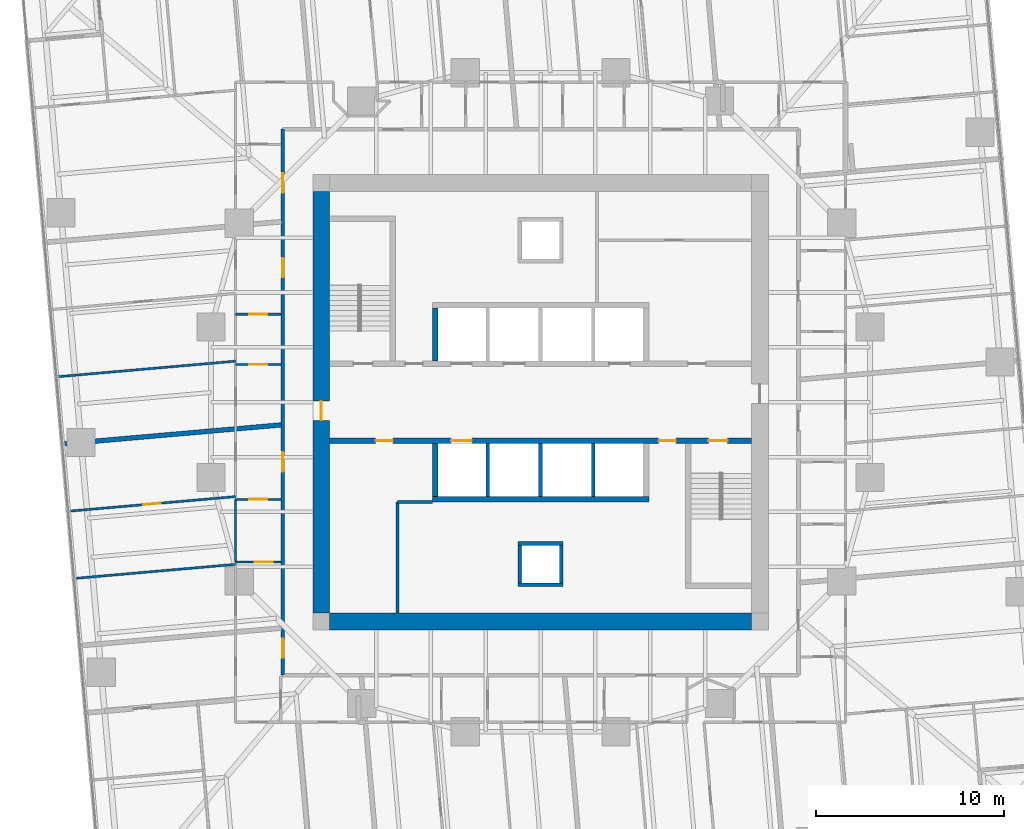
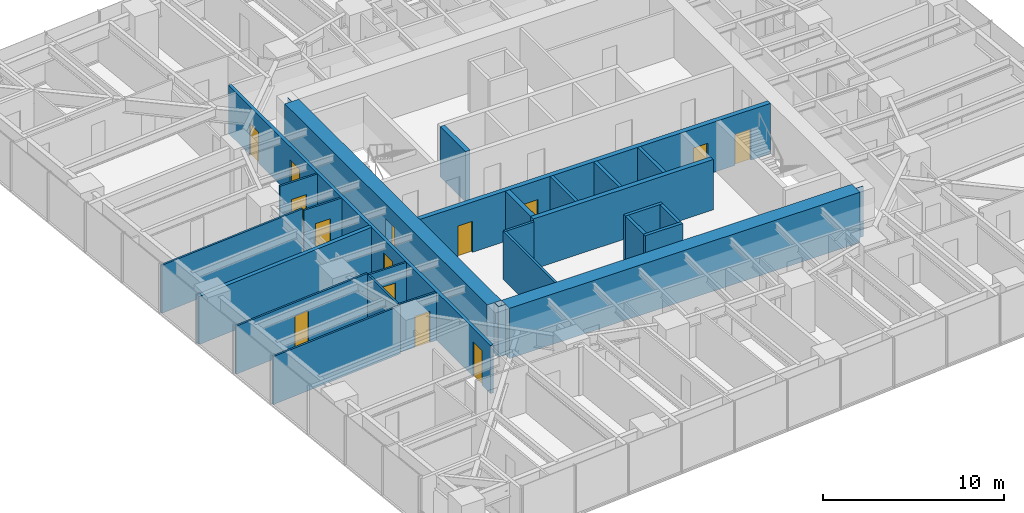
# One storey, part 9 of 14: 25 walls, 14 doors, 14 openings.
"""IFC4 building model written with IfcOpenShell, lengths in metres."""

from ifc_helpers import new_model, si_unit, direction, frame, frame_2d, origin, place, context, subcontext, project, spatial, polyline, rectangle, outline, extrude, material, layer, layer_set, type_object, element, fill, save


model = new_model("IFC4")

# Units and contexts
model_context = context("Model", 3, precision=1e-05, world=origin(), true_north=direction((0.0, 1.0)))
body_context = subcontext(model_context, "Body", "Model", "MODEL_VIEW")
ifc_project = project(units=[si_unit("LENGTHUNIT", "METRE"), si_unit("AREAUNIT", "SQUARE_METRE"), si_unit("VOLUMEUNIT", "CUBIC_METRE"), si_unit("PLANEANGLEUNIT", "RADIAN"), si_unit("MASSUNIT", "GRAM", prefix="KILO")], contexts=[model_context])

# Site, building, storey
site_placement = place(None, origin())
site = spatial("IfcSite", under=ifc_project, at=site_placement, CompositionType="ELEMENT")
building_placement = place(site_placement, origin())
building = spatial("IfcBuilding", under=site, at=building_placement, Name="Torsade Residences", CompositionType="ELEMENT")
storey_placement = place(building_placement, frame((0.0, 0.0, 64.199951171875)))
storey = spatial("IfcBuildingStorey", under=building, at=storey_placement, Name="L17", CompositionType="ELEMENT", Elevation=64.199951171875)

# Wall, openings, doors
ifc_material_1 = material(Name="Concrete 80 MPa", Category="concrete")
ifc_layer_1 = layer(ifc_material_1, 0.300048828125)
ifc_layer_set_1 = layer_set([ifc_layer_1], Name="Concrete 80 MPa")
wall_type_1 = type_object("IfcWallType", Name="CORE INTERNAL WALL 300", PredefinedType="SHEAR", material=ifc_layer_set_1)
wall_1_placement = place(storey_placement, frame((51.199951171875, 27.949951171875, 0.0), z_axis=(0.0, 0.0, 1.0), x_axis=(-1.0, 0.0, 0.0)))
wall_1 = element("IfcWall", 1, at=wall_1_placement, inside=storey, type_object=wall_type_1, Name="Core wall LS L17", PredefinedType="SHEAR", context=body_context, shape_type="SweptSolid", body=[
    extrude(rectangle(XDim=22.39990234375, YDim=0.300048828125, at=frame_2d((11.199951171875, 0.0))), origin(), (0.0, 0.0, 1.0), 3.400146484375),
])
opening_1_placement = place(wall_1_placement, frame((19.0400390625, 0.0, 0.0)))
opening_1 = element("IfcOpeningElement", 2, at=opening_1_placement, cuts=wall_1, Name="Opening D06", PredefinedType="OPENING", context=body_context, shape_type="SweptSolid", body=[
    extrude(rectangle(XDim=0.919921875, YDim=2.10009765625, at=frame_2d((0.4599609375, 1.050048828125))), frame((0.0, 0.159912109375, 0.0), z_axis=(0.0, -1.0, 0.0), x_axis=(1.0, 0.0, 0.0)), (0.0, 0.0, 1.0), 0.320068359375),
])
opening_2_placement = place(wall_1_placement, frame((1.264892578125, 0.0, 0.0)))
opening_2 = element("IfcOpeningElement", 3, at=opening_2_placement, cuts=wall_1, Name="Opening D03", PredefinedType="OPENING", context=body_context, shape_type="SweptSolid", body=[
    extrude(rectangle(XDim=1.02001953125, YDim=2.10009765625, at=frame_2d((0.510009765625, 1.050048828125))), frame((0.0, 0.159912109375, 0.0), z_axis=(0.0, -1.0, 0.0), x_axis=(1.0, 0.0, 0.0)), (0.0, 0.0, 1.0), 0.320068359375),
])
opening_3_placement = place(wall_1_placement, frame((4.014892578125, 0.0, 0.0)))
opening_3 = element("IfcOpeningElement", 4, at=opening_3_placement, cuts=wall_1, Name="Opening D06", PredefinedType="OPENING", context=body_context, shape_type="SweptSolid", body=[
    extrude(rectangle(XDim=0.919921875, YDim=2.10009765625, at=frame_2d((0.4599609375, 1.050048828125))), frame((0.0, 0.159912109375, 0.0), z_axis=(0.0, -1.0, 0.0), x_axis=(1.0, 0.0, 0.0)), (0.0, 0.0, 1.0), 0.320068359375),
])
opening_4_placement = place(wall_1_placement, frame((14.85009765625, 0.0, 0.0)))
opening_4 = element("IfcOpeningElement", 5, at=opening_4_placement, cuts=wall_1, Name="Opening LD", PredefinedType="OPENING", context=body_context, shape_type="SweptSolid", body=[
    extrude(rectangle(XDim=1.10009765625, YDim=2.10009765625, at=frame_2d((0.550048828125, 1.050048828125))), frame((0.0, 0.159912109375, 0.0), z_axis=(0.0, -1.0, 0.0), x_axis=(1.0, 0.0, 0.0)), (0.0, 0.0, 1.0), 0.320068359375),
])
ifc_material_2 = material(Name="Steel-framed fire door", Category="steel")
door_type_1 = type_object("IfcDoorType", Name="FIRE DOOR 1020", OperationType="NOTDEFINED", PredefinedType="DOOR", material=ifc_material_2)
door_1_placement = place(opening_2_placement, origin())
door_1 = element("IfcDoor", 6, at=door_1_placement, inside=storey, type_object=door_type_1, Name="Exit door to fire-isolated stair ST2 L17", OperationType="SINGLE_SWING_RIGHT", OverallHeight=2.10009765625, OverallWidth=1.02001953125, PredefinedType="DOOR", context=body_context, shape_type="SweptSolid", body=[
    extrude(rectangle(XDim=1.02001953125, YDim=2.10009765625, at=frame_2d((0.510009765625, 1.050048828125))), frame((0.0, 0.02490234375, 0.0), z_axis=(0.0, -1.0, 0.0), x_axis=(1.0, 0.0, 0.0)), (0.0, 0.0, 1.0), 0.050048828125),
])
fill(opening_2, door_1)
ifc_material_3 = material(Name="Steel-framed fire door", Category="steel")
door_type_2 = type_object("IfcDoorType", Name="FIRE DOOR 920", OperationType="NOTDEFINED", PredefinedType="DOOR", material=ifc_material_3)
door_2_placement = place(opening_1_placement, origin())
door_2 = element("IfcDoor", 7, at=door_2_placement, inside=storey, type_object=door_type_2, Name="Door Lift lobby to Cleaner store", OperationType="SINGLE_SWING_LEFT", OverallHeight=2.10009765625, OverallWidth=0.919921875, PredefinedType="DOOR", context=body_context, shape_type="SweptSolid", body=[
    extrude(rectangle(XDim=0.919921875, YDim=2.10009765625, at=frame_2d((0.4599609375, 1.050048828125))), frame((0.0, 0.02490234375, 0.0), z_axis=(0.0, -1.0, 0.0), x_axis=(1.0, 0.0, 0.0)), (0.0, 0.0, 1.0), 0.050048828125),
])
fill(opening_1, door_2)
door_3_placement = place(opening_3_placement, origin())
door_3 = element("IfcDoor", 8, at=door_3_placement, inside=storey, type_object=door_type_2, Name="Door Lift lobby to Communications riser room", OperationType="SINGLE_SWING_RIGHT", OverallHeight=2.10009765625, OverallWidth=0.919921875, PredefinedType="DOOR", context=body_context, shape_type="SweptSolid", body=[
    extrude(rectangle(XDim=0.919921875, YDim=2.10009765625, at=frame_2d((0.4599609375, 1.050048828125))), frame((0.0, 0.02490234375, 0.0), z_axis=(0.0, -1.0, 0.0), x_axis=(1.0, 0.0, 0.0)), (0.0, 0.0, 1.0), 0.050048828125),
])
fill(opening_3, door_3)
ifc_material_4 = material(Name="Stainless steel lift landing door", Category="steel")
door_type_3 = type_object("IfcDoorType", Name="LIFT LANDING DOOR 1100", OperationType="SLIDING_TO_LEFT", PredefinedType="DOOR", material=ifc_material_4)
door_4_placement = place(opening_4_placement, origin())
door_4 = element("IfcDoor", 9, at=door_4_placement, inside=storey, type_object=door_type_3, Name="Lift FL2 landing door L17", OperationType="SLIDING_TO_LEFT", OverallHeight=2.10009765625, OverallWidth=1.10009765625, PredefinedType="DOOR", context=body_context, shape_type="SweptSolid", body=[
    extrude(rectangle(XDim=1.10009765625, YDim=2.10009765625, at=frame_2d((0.550048828125, 1.050048828125))), frame((0.0, 0.02490234375, 0.0), z_axis=(0.0, -1.0, 0.0), x_axis=(1.0, 0.0, 0.0)), (0.0, 0.0, 1.0), 0.050048828125),
])
fill(opening_4, door_4)

# Walls
wall_2_placement = place(storey_placement, frame((45.75, 24.85009765625, 0.0), z_axis=(0.0, 0.0, 1.0), x_axis=(-1.0, 0.0, 0.0)))
element("IfcWall", 10, at=wall_2_placement, inside=storey, type_object=wall_type_1, Name="Core wall BS L17", PredefinedType="SHEAR", context=body_context, shape_type="SweptSolid", body=[
    extrude(rectangle(XDim=11.5, YDim=0.300048828125, at=frame_2d((5.75, 0.0))), origin(), (0.0, 0.0, 1.0), 3.400146484375),
])
for number, where, z_axis, x_axis, name in (
    (11, (34.39990234375, 32.199951171875, 0.0), (0.0, 0.0, 1.0), (0.0, 1.0, 0.0), "Core wall DN0 L17"),
    (12, (34.39990234375, 27.800048828125, 0.0), (0.0, 0.0, 1.0), (0.0, -1.0, 0.0), "Core wall DS4 L17"),
):
    element("IfcWall", number, at=place(storey_placement, frame(where, z_axis=z_axis, x_axis=x_axis)), inside=storey, type_object=wall_type_1, Name=name, PredefinedType="SHEAR", context=body_context, shape_type="SweptSolid", body=[
        extrude(rectangle(XDim=2.800048828125, YDim=0.300048828125, at=frame_2d((1.39990234375, 0.0))), origin(), (0.0, 0.0, 1.0), 3.400146484375),
    ])
ifc_material_5 = material(Name="Concrete 80 MPa", Category="concrete")
ifc_layer_2 = layer(ifc_material_5, 0.89990234375)
ifc_layer_set_2 = layer_set([ifc_layer_2], Name="Concrete 80 MPa")
wall_type_2 = type_object("IfcWallType", Name="CORE WALL 900", PredefinedType="SHEAR", material=ifc_layer_set_2)
wall_3_placement = place(storey_placement, frame((51.199951171875, 18.35009765625, 0.0), z_axis=(0.0, 0.0, 1.0), x_axis=(-1.0, 0.0, 0.0)))
element("IfcWall", 13, at=wall_3_placement, inside=storey, type_object=wall_type_2, Name="Core wall S L17", PredefinedType="SHEAR", context=body_context, shape_type="SweptSolid", body=[
    extrude(outline(polyline([(0.0, -0.449951171875), (22.39990234375, -0.449951171875), (22.39990234375, -0.02490234375), (22.849853515625, -0.02490234375), (22.849853515625, 0.02490234375), (22.39990234375, 0.02490234375), (22.39990234375, 0.449951171875), (0.0, 0.449951171875), (0.0, 0.02490234375), (-0.449951171875, 0.02490234375), (-0.449951171875, -0.02490234375), (0.0, -0.02490234375), (0.0, -0.449951171875)])), origin(), (0.0, 0.0, 1.0), 3.400146484375),
])

# Wall, opening, door
wall_4_placement = place(storey_placement, frame((28.35009765625, 41.199951171875, 0.0), z_axis=(0.0, 0.0, 1.0), x_axis=(0.0, -1.0, 0.0)))
wall_4 = element("IfcWall", 14, at=wall_4_placement, inside=storey, type_object=wall_type_2, Name="Core wall W L17", PredefinedType="SHEAR", context=body_context, shape_type="SweptSolid", body=[
    extrude(outline(polyline([(0.0, -0.449951171875), (22.39990234375, -0.449951171875), (22.39990234375, -0.02490234375), (22.849853515625, -0.02490234375), (22.849853515625, 0.02490234375), (22.39990234375, 0.02490234375), (22.39990234375, 0.449951171875), (0.0, 0.449951171875), (0.0, 0.02490234375), (-0.449951171875, 0.02490234375), (-0.449951171875, -0.02490234375), (0.0, -0.02490234375), (0.0, -0.449951171875)])), origin(), (0.0, 0.0, 1.0), 3.400146484375),
])
opening_5_placement = place(wall_4_placement, frame((11.139892578125, 0.0, 0.0)))
opening_5 = element("IfcOpeningElement", 15, at=opening_5_placement, cuts=wall_4, Name="Opening D04", PredefinedType="OPENING", context=body_context, shape_type="SweptSolid", body=[
    extrude(rectangle(XDim=1.02001953125, YDim=2.39990234375, at=frame_2d((0.510009765625, 1.199951171875))), frame((0.0, 0.4599609375, 0.0), z_axis=(0.0, -1.0, 0.0), x_axis=(1.0, 0.0, 0.0)), (0.0, 0.0, 1.0), 0.919921875),
])
ifc_material_6 = material(Name="Steel-framed fire door", Category="steel")
door_type_4 = type_object("IfcDoorType", Name="LOBBY SMOKE DOOR 1020x2400", OperationType="NOTDEFINED", PredefinedType="DOOR", material=ifc_material_6)
door_5_placement = place(opening_5_placement, origin())
door_5 = element("IfcDoor", 16, at=door_5_placement, inside=storey, type_object=door_type_4, Name="Lift lobby door W L17", OperationType="SINGLE_SWING_RIGHT", OverallHeight=2.39990234375, OverallWidth=1.02001953125, PredefinedType="DOOR", context=body_context, shape_type="SweptSolid", body=[
    extrude(rectangle(XDim=1.02001953125, YDim=2.39990234375, at=frame_2d((0.510009765625, 1.199951171875))), frame((0.0, 0.02490234375, 0.0), z_axis=(0.0, -1.0, 0.0), x_axis=(1.0, 0.0, 0.0)), (0.0, 0.0, 1.0), 0.050048828125),
])
fill(opening_5, door_5)

# Wall, openings, doors
ifc_material_7 = material(Name="Plasterboard on steel stud", Category="steel")
ifc_layer_3 = layer(ifc_material_7, 0.199951171875)
ifc_layer_set_3 = layer_set([ifc_layer_3], Name="Plasterboard on steel stud")
wall_type_3 = type_object("IfcWallType", Name="CORRIDOR WALL 200", PredefinedType="PARTITIONING", material=ifc_layer_set_3)
wall_5_placement = place(storey_placement, frame((26.300048828125, 44.5, 0.0), z_axis=(0.0, 0.0, 1.0), x_axis=(0.0, -1.0, 0.0)))
wall_5 = element("IfcWall", 17, at=wall_5_placement, inside=storey, type_object=wall_type_3, Name="Corridor wall L17", PredefinedType="PARTITIONING", context=body_context, shape_type="SweptSolid", body=[
    extrude(rectangle(XDim=29.0, YDim=0.199951171875, at=frame_2d((14.5, 0.0))), origin(), (0.0, 0.0, 1.0), 3.25),
])
opening_6_placement = place(wall_5_placement, frame((6.849609375, 0.0, 0.0)))
opening_6 = element("IfcOpeningElement", 18, at=opening_6_placement, cuts=wall_5, Name="Opening D01", PredefinedType="OPENING", context=body_context, shape_type="SweptSolid", body=[
    extrude(rectangle(XDim=1.02001953125, YDim=2.340087890625, at=frame_2d((0.510009765625, 1.169921875))), frame((0.0, 0.10986328125, 0.0), z_axis=(0.0, -1.0, 0.0), x_axis=(1.0, 0.0, 0.0)), (0.0, 0.0, 1.0), 0.219970703125),
])
opening_7_placement = place(wall_5_placement, frame((2.344970703125, 0.0, 0.0)))
opening_7 = element("IfcOpeningElement", 19, at=opening_7_placement, cuts=wall_5, Name="Opening D01L", PredefinedType="OPENING", context=body_context, shape_type="SweptSolid", body=[
    extrude(rectangle(XDim=1.02001953125, YDim=2.10009765625, at=frame_2d((0.510009765625, 1.050048828125))), frame((0.0, 0.10986328125, 0.0), z_axis=(0.0, -1.0, 0.0), x_axis=(1.0, 0.0, 0.0)), (0.0, 0.0, 1.0), 0.219970703125),
])
opening_8_placement = place(wall_5_placement, frame((17.165771484375, 0.0, 0.0)))
opening_8 = element("IfcOpeningElement", 20, at=opening_8_placement, cuts=wall_5, Name="Opening D01", PredefinedType="OPENING", context=body_context, shape_type="SweptSolid", body=[
    extrude(rectangle(XDim=1.02001953125, YDim=2.340087890625, at=frame_2d((0.510009765625, 1.169921875))), frame((0.0, 0.10986328125, 0.0), z_axis=(0.0, -1.0, 0.0), x_axis=(1.0, 0.0, 0.0)), (0.0, 0.0, 1.0), 0.219970703125),
])
opening_9_placement = place(wall_5_placement, frame((27.054931640625, 0.0, 0.0)))
opening_9 = element("IfcOpeningElement", 21, at=opening_9_placement, cuts=wall_5, Name="Opening D01", PredefinedType="OPENING", context=body_context, shape_type="SweptSolid", body=[
    extrude(rectangle(XDim=1.02001953125, YDim=2.340087890625, at=frame_2d((0.510009765625, 1.169921875))), frame((0.0, 0.10986328125, 0.0), z_axis=(0.0, -1.0, 0.0), x_axis=(1.0, 0.0, 0.0)), (0.0, 0.0, 1.0), 0.219970703125),
])
ifc_material_8 = material(Name="Solid-core timber fire door", Category="wood")
door_type_5 = type_object("IfcDoorType", Name="APARTMENT ENTRY DOOR 1020x2100", OperationType="NOTDEFINED", PredefinedType="DOOR", material=ifc_material_8)
door_6_placement = place(opening_7_placement, origin())
door_6 = element("IfcDoor", 22, at=door_6_placement, inside=storey, type_object=door_type_5, Name="Door Residential corridor to Kitchen and dining", OperationType="SINGLE_SWING_LEFT", OverallHeight=2.10009765625, OverallWidth=1.02001953125, PredefinedType="DOOR", context=body_context, shape_type="SweptSolid", body=[
    extrude(rectangle(XDim=1.02001953125, YDim=2.10009765625, at=frame_2d((0.510009765625, 1.050048828125))), frame((0.0, 0.02490234375, 0.0), z_axis=(0.0, -1.0, 0.0), x_axis=(1.0, 0.0, 0.0)), (0.0, 0.0, 1.0), 0.050048828125),
])
fill(opening_7, door_6)
ifc_material_9 = material(Name="Solid-core timber fire door", Category="wood")
door_type_6 = type_object("IfcDoorType", Name="APARTMENT ENTRY DOOR 1020x2340", OperationType="NOTDEFINED", PredefinedType="DOOR", material=ifc_material_9)
door_7_placement = place(opening_6_placement, origin())
door_7 = element("IfcDoor", 23, at=door_7_placement, inside=storey, type_object=door_type_6, Name="Door Residential corridor to Kitchen and dining", OperationType="SINGLE_SWING_LEFT", OverallHeight=2.340087890625, OverallWidth=1.02001953125, PredefinedType="DOOR", context=body_context, shape_type="SweptSolid", body=[
    extrude(rectangle(XDim=1.02001953125, YDim=2.340087890625, at=frame_2d((0.510009765625, 1.169921875))), frame((0.0, 0.02490234375, 0.0), z_axis=(0.0, -1.0, 0.0), x_axis=(1.0, 0.0, 0.0)), (0.0, 0.0, 1.0), 0.050048828125),
])
fill(opening_6, door_7)
door_8_placement = place(opening_8_placement, origin())
door_8 = element("IfcDoor", 24, at=door_8_placement, inside=storey, type_object=door_type_6, Name="Door Residential corridor to Kitchen and dining", OperationType="SINGLE_SWING_LEFT", OverallHeight=2.340087890625, OverallWidth=1.02001953125, PredefinedType="DOOR", context=body_context, shape_type="SweptSolid", body=[
    extrude(rectangle(XDim=1.02001953125, YDim=2.340087890625, at=frame_2d((0.510009765625, 1.169921875))), frame((0.0, 0.02490234375, 0.0), z_axis=(0.0, -1.0, 0.0), x_axis=(1.0, 0.0, 0.0)), (0.0, 0.0, 1.0), 0.050048828125),
])
fill(opening_8, door_8)
door_9_placement = place(opening_9_placement, origin())
door_9 = element("IfcDoor", 25, at=door_9_placement, inside=storey, type_object=door_type_6, Name="Door Residential corridor to Kitchen and dining", OperationType="SINGLE_SWING_RIGHT", OverallHeight=2.340087890625, OverallWidth=1.02001953125, PredefinedType="DOOR", context=body_context, shape_type="SweptSolid", body=[
    extrude(rectangle(XDim=1.02001953125, YDim=2.340087890625, at=frame_2d((0.510009765625, 1.169921875))), frame((0.0, 0.02490234375, 0.0), z_axis=(0.0, -1.0, 0.0), x_axis=(1.0, 0.0, 0.0)), (0.0, 0.0, 1.0), 0.050048828125),
])
fill(opening_9, door_9)

# Walls
ifc_material_10 = material(Name="Reinforced blockwork", Category="masonry")
ifc_layer_4 = layer(ifc_material_10, 0.199951171875)
ifc_layer_set_4 = layer_set([ifc_layer_4], Name="Reinforced blockwork")
wall_type_4 = type_object("IfcWallType", Name="LIFT SHAFT DIVIDING WALL 200", PredefinedType="SOLIDWALL", material=ifc_layer_set_4)
for number, where, z_axis, x_axis, name in (
    (26, (42.800048828125, 27.800048828125, 0.0), (0.0, 0.0, 1.0), (0.0, -1.0, 0.0), "Core wall DS1 L17"),
    (27, (40.0, 27.800048828125, 0.0), (0.0, 0.0, 1.0), (0.0, -1.0, 0.0), "Core wall DS2 L17"),
    (28, (37.199951171875, 27.800048828125, 0.0), (0.0, 0.0, 1.0), (0.0, -1.0, 0.0), "Core wall DS3 L17"),
):
    element("IfcWall", number, at=place(storey_placement, frame(where, z_axis=z_axis, x_axis=x_axis)), inside=storey, type_object=wall_type_4, Name=name, PredefinedType="SOLIDWALL", context=body_context, shape_type="SweptSolid", body=[
        extrude(rectangle(XDim=2.800048828125, YDim=0.199951171875, at=frame_2d((1.39990234375, 0.0))), origin(), (0.0, 0.0, 1.0), 3.400146484375),
    ])

# Wall, opening, door
ifc_material_11 = material(Name="Plasterboard on steel stud", Category="steel")
ifc_layer_5 = layer(ifc_material_11, 0.1201171875)
ifc_layer_set_5 = layer_set([ifc_layer_5], Name="Plasterboard on steel stud")
wall_type_5 = type_object("IfcWallType", Name="PARTITION 120", PredefinedType="PARTITIONING", material=ifc_layer_set_5)
wall_6_placement = place(storey_placement, frame((26.199951171875, 24.837646484375, 0.0), z_axis=(0.0, 0.0, 1.0), x_axis=(-1.0, 0.0, 0.0)))
wall_6 = element("IfcWall", 29, at=wall_6_placement, inside=storey, type_object=wall_type_5, Name="Partition L17", PredefinedType="PARTITIONING", context=body_context, shape_type="SweptSolid", body=[
    extrude(rectangle(XDim=2.39990234375, YDim=0.1201171875, at=frame_2d((1.199951171875, 0.0))), origin(), (0.0, 0.0, 1.0), 3.25),
])
opening_10_placement = place(wall_6_placement, frame((0.719970703125, 0.0, 0.0)))
opening_10 = element("IfcOpeningElement", 30, at=opening_10_placement, cuts=wall_6, Name="Opening D05", PredefinedType="OPENING", context=body_context, shape_type="SweptSolid", body=[
    extrude(rectangle(XDim=0.9599609375, YDim=2.10009765625, at=frame_2d((0.47998046875, 1.050048828125))), frame((0.0, 0.070068359375, 0.0), z_axis=(0.0, -1.0, 0.0), x_axis=(1.0, 0.0, 0.0)), (0.0, 0.0, 1.0), 0.14013671875),
])
ifc_material_12 = material(Name="Hollow-core timber door in a steel cavity frame", Category="steel")
door_type_7 = type_object("IfcDoorType", Name="BATHROOM CAVITY SLIDING DOOR 960", OperationType="SLIDING_TO_LEFT", PredefinedType="DOOR", material=ifc_material_12)
door_10_placement = place(opening_10_placement, origin())
door_10 = element("IfcDoor", 31, at=door_10_placement, inside=storey, type_object=door_type_7, Name="Door Kitchen and dining to Ensuite", OperationType="SLIDING_TO_LEFT", OverallHeight=2.10009765625, OverallWidth=0.9599609375, PredefinedType="DOOR", context=body_context, shape_type="SweptSolid", body=[
    extrude(rectangle(XDim=0.9599609375, YDim=2.10009765625, at=frame_2d((0.47998046875, 1.050048828125))), frame((0.0, 0.02490234375, 0.0), z_axis=(0.0, -1.0, 0.0), x_axis=(1.0, 0.0, 0.0)), (0.0, 0.0, 1.0), 0.050048828125),
])
fill(opening_10, door_10)

wall_7_placement = place(storey_placement, frame((23.800048828125, 21.513916015625, 0.0), z_axis=(0.0, 0.0, 1.0), x_axis=(1.0, 0.0, 0.0)))
wall_7 = element("IfcWall", 32, at=wall_7_placement, inside=storey, type_object=wall_type_5, Name="Partition L17", PredefinedType="PARTITIONING", context=body_context, shape_type="SweptSolid", body=[
    extrude(rectangle(XDim=2.39990234375, YDim=0.1201171875, at=frame_2d((1.199951171875, 0.0))), origin(), (0.0, 0.0, 1.0), 3.25),
])
opening_11_placement = place(wall_7_placement, frame((1.02001953125, 0.0, 0.0)))
opening_11 = element("IfcOpeningElement", 33, at=opening_11_placement, cuts=wall_7, Name="Opening D05", PredefinedType="OPENING", context=body_context, shape_type="SweptSolid", body=[
    extrude(rectangle(XDim=0.9599609375, YDim=2.10009765625, at=frame_2d((0.47998046875, 1.050048828125))), frame((0.0, 0.070068359375, 0.0), z_axis=(0.0, -1.0, 0.0), x_axis=(1.0, 0.0, 0.0)), (0.0, 0.0, 1.0), 0.14013671875),
])
door_11_placement = place(opening_11_placement, origin())
door_11 = element("IfcDoor", 34, at=door_11_placement, inside=storey, type_object=door_type_7, Name="Door Ensuite to Bathroom", OperationType="SLIDING_TO_LEFT", OverallHeight=2.10009765625, OverallWidth=0.9599609375, PredefinedType="DOOR", context=body_context, shape_type="SweptSolid", body=[
    extrude(rectangle(XDim=0.9599609375, YDim=2.10009765625, at=frame_2d((0.47998046875, 1.050048828125))), frame((0.0, 0.02490234375, 0.0), z_axis=(0.0, -1.0, 0.0), x_axis=(1.0, 0.0, 0.0)), (0.0, 0.0, 1.0), 0.050048828125),
])
fill(opening_11, door_11)

# Wall
wall_8_placement = place(storey_placement, frame((23.800048828125, 21.513916015625, 0.0), z_axis=(0.0, 0.0, 1.0), x_axis=(0.0, 1.0, 0.0)))
element("IfcWall", 35, at=wall_8_placement, inside=storey, type_object=wall_type_5, Name="Partition L17", PredefinedType="PARTITIONING", context=body_context, shape_type="SweptSolid", body=[
    extrude(rectangle(XDim=3.32373046875, YDim=0.1201171875, at=frame_2d((1.661865234375, 0.0))), origin(), (0.0, 0.0, 1.0), 3.25),
])

# Wall, opening, door
wall_9_placement = place(storey_placement, frame((23.800048828125, 24.985595703125, 0.0), z_axis=(0.0, 0.0, 1.0), x_axis=(-0.996194045583, -0.087163200634, 0.0)))
wall_9 = element("IfcWall", 36, at=wall_9_placement, inside=storey, type_object=wall_type_5, Name="Partition L17", PredefinedType="PARTITIONING", context=body_context, shape_type="SweptSolid", body=[
    extrude(rectangle(XDim=8.884765625, YDim=0.1201171875, at=frame_2d((4.4423828125, 0.0))), origin(), (0.0, 0.0, 1.0), 3.25),
])
opening_12_placement = place(wall_9_placement, frame((4.002197265625, 0.0, 0.0)))
opening_12 = element("IfcOpeningElement", 37, at=opening_12_placement, cuts=wall_9, Name="Opening D02", PredefinedType="OPENING", context=body_context, shape_type="SweptSolid", body=[
    extrude(rectangle(XDim=0.919921875, YDim=2.340087890625, at=frame_2d((0.4599609375, 1.169921875))), frame((0.0, 0.070068359375, 0.0), z_axis=(0.0, -1.0, 0.0), x_axis=(1.0, 0.0, 0.0)), (0.0, 0.0, 1.0), 0.14013671875),
])
ifc_material_13 = material(Name="Hollow-core timber door", Category="wood")
door_type_8 = type_object("IfcDoorType", Name="INTERNAL DOOR 920x2340", OperationType="NOTDEFINED", PredefinedType="DOOR", material=ifc_material_13)
door_12_placement = place(opening_12_placement, origin())
door_12 = element("IfcDoor", 38, at=door_12_placement, inside=storey, type_object=door_type_8, Name="Door Living room to Bedroom 1", OperationType="SINGLE_SWING_LEFT", OverallHeight=2.340087890625, OverallWidth=0.919921875, PredefinedType="DOOR", context=body_context, shape_type="SweptSolid", body=[
    extrude(rectangle(XDim=0.919921875, YDim=2.340087890625, at=frame_2d((0.4599609375, 1.169921875))), frame((0.0, 0.02490234375, 0.0), z_axis=(0.0, -1.0, 0.0), x_axis=(1.0, 0.0, 0.0)), (0.0, 0.0, 1.0), 0.050048828125),
])
fill(opening_12, door_12)

# Wall
wall_10_placement = place(storey_placement, frame((23.800048828125, 21.388671875, 0.0), z_axis=(0.0, 0.0, 1.0), x_axis=(-0.996194273991, -0.087160590107, 0.0)))
element("IfcWall", 39, at=wall_10_placement, inside=storey, type_object=wall_type_5, Name="Partition L17", PredefinedType="PARTITIONING", context=body_context, shape_type="SweptSolid", body=[
    extrude(rectangle(XDim=8.5712890625, YDim=0.1201171875, at=frame_2d((4.28564453125, 0.0))), origin(), (0.0, 0.0, 1.0), 3.25),
])

# Wall, opening, door
wall_11_placement = place(storey_placement, frame((26.199951171875, 34.678466796875, 0.0), z_axis=(0.0, 0.0, 1.0), x_axis=(-1.0, 0.0, 0.0)))
wall_11 = element("IfcWall", 40, at=wall_11_placement, inside=storey, type_object=wall_type_5, Name="Partition L17", PredefinedType="PARTITIONING", context=body_context, shape_type="SweptSolid", body=[
    extrude(rectangle(XDim=2.39990234375, YDim=0.1201171875, at=frame_2d((1.199951171875, 0.0))), origin(), (0.0, 0.0, 1.0), 3.25),
])
opening_13_placement = place(wall_11_placement, frame((0.719970703125, 0.0, 0.0)))
opening_13 = element("IfcOpeningElement", 41, at=opening_13_placement, cuts=wall_11, Name="Opening D05", PredefinedType="OPENING", context=body_context, shape_type="SweptSolid", body=[
    extrude(rectangle(XDim=0.9599609375, YDim=2.10009765625, at=frame_2d((0.47998046875, 1.050048828125))), frame((0.0, 0.070068359375, 0.0), z_axis=(0.0, -1.0, 0.0), x_axis=(1.0, 0.0, 0.0)), (0.0, 0.0, 1.0), 0.14013671875),
])
door_13_placement = place(opening_13_placement, origin())
door_13 = element("IfcDoor", 42, at=door_13_placement, inside=storey, type_object=door_type_7, Name="Door Kitchen and dining to Ensuite", OperationType="SLIDING_TO_LEFT", OverallHeight=2.10009765625, OverallWidth=0.9599609375, PredefinedType="DOOR", context=body_context, shape_type="SweptSolid", body=[
    extrude(rectangle(XDim=0.9599609375, YDim=2.10009765625, at=frame_2d((0.47998046875, 1.050048828125))), frame((0.0, 0.02490234375, 0.0), z_axis=(0.0, -1.0, 0.0), x_axis=(1.0, 0.0, 0.0)), (0.0, 0.0, 1.0), 0.050048828125),
])
fill(opening_13, door_13)

wall_12_placement = place(storey_placement, frame((23.800048828125, 32.003173828125, 0.0), z_axis=(0.0, 0.0, 1.0), x_axis=(1.0, 0.0, 0.0)))
wall_12 = element("IfcWall", 43, at=wall_12_placement, inside=storey, type_object=wall_type_5, Name="Partition L17", PredefinedType="PARTITIONING", context=body_context, shape_type="SweptSolid", body=[
    extrude(rectangle(XDim=2.39990234375, YDim=0.1201171875, at=frame_2d((1.199951171875, 0.0))), origin(), (0.0, 0.0, 1.0), 3.25),
])
opening_14_placement = place(wall_12_placement, frame((0.719970703125, 0.0, 0.0)))
opening_14 = element("IfcOpeningElement", 44, at=opening_14_placement, cuts=wall_12, Name="Opening D05", PredefinedType="OPENING", context=body_context, shape_type="SweptSolid", body=[
    extrude(rectangle(XDim=0.9599609375, YDim=2.10009765625, at=frame_2d((0.47998046875, 1.050048828125))), frame((0.0, 0.070068359375, 0.0), z_axis=(0.0, -1.0, 0.0), x_axis=(1.0, 0.0, 0.0)), (0.0, 0.0, 1.0), 0.14013671875),
])
door_14_placement = place(opening_14_placement, origin())
door_14 = element("IfcDoor", 45, at=door_14_placement, inside=storey, type_object=door_type_7, Name="Door Ensuite to Bathroom", OperationType="SLIDING_TO_LEFT", OverallHeight=2.10009765625, OverallWidth=0.9599609375, PredefinedType="DOOR", context=body_context, shape_type="SweptSolid", body=[
    extrude(rectangle(XDim=0.9599609375, YDim=2.10009765625, at=frame_2d((0.47998046875, 1.050048828125))), frame((0.0, 0.02490234375, 0.0), z_axis=(0.0, -1.0, 0.0), x_axis=(1.0, 0.0, 0.0)), (0.0, 0.0, 1.0), 0.050048828125),
])
fill(opening_14, door_14)

# Walls
wall_13_placement = place(storey_placement, frame((23.800048828125, 32.1796875, 0.0), z_axis=(0.0, 0.0, 1.0), x_axis=(-0.996193828936, -0.087165676674, 0.0)))
element("IfcWall", 46, at=wall_13_placement, inside=storey, type_object=wall_type_5, Name="Partition L17", PredefinedType="PARTITIONING", context=body_context, shape_type="SweptSolid", body=[
    extrude(rectangle(XDim=9.51171875, YDim=0.1201171875, at=frame_2d((4.755859375, 0.0))), origin(), (0.0, 0.0, 1.0), 3.25),
])
ifc_material_14 = material(Name="Masonry-lined stud party wall", Category="masonry")
ifc_layer_6 = layer(ifc_material_14, 0.25)
ifc_layer_set_6 = layer_set([ifc_layer_6], Name="Masonry-lined stud party wall")
wall_type_6 = type_object("IfcWallType", Name="PARTY WALL 250", PredefinedType="PARTITIONING", material=ifc_layer_set_6)
wall_14_placement = place(storey_placement, frame((14.596923828125, 27.777587890625, 0.0), z_axis=(0.0, 0.0, 1.0), x_axis=(0.996195419442, 0.087147497287, 0.0)))
element("IfcWall", 47, at=wall_14_placement, inside=storey, type_object=wall_type_6, Name="Party wall L17", PredefinedType="PARTITIONING", context=body_context, shape_type="SweptSolid", body=[
    extrude(rectangle(XDim=11.676513671875, YDim=0.25, at=frame_2d((5.83837890625, 0.0))), origin(), (0.0, 0.0, 1.0), 3.25),
])
ifc_material_15 = material(Name="Reinforced blockwork", Category="masonry")
ifc_layer_7 = layer(ifc_material_15, 0.199951171875)
ifc_layer_set_7 = layer_set([ifc_layer_7], Name="Reinforced blockwork")
wall_type_7 = type_object("IfcWallType", Name="RISER SHAFT WALL 200", PredefinedType="SOLIDWALL", material=ifc_layer_set_7)
for number, where, z_axis, x_axis, name in (
    (48, (38.89990234375, 22.39990234375, 0.0), (0.0, 0.0, 1.0), (0.0, -1.0, 0.0), "Core wall RS2a L17"),
    (49, (41.10009765625, 22.39990234375, 0.0), (0.0, 0.0, 1.0), (0.0, -1.0, 0.0), "Core wall RS2b L17"),
):
    element("IfcWall", number, at=place(storey_placement, frame(where, z_axis=z_axis, x_axis=x_axis)), inside=storey, type_object=wall_type_7, Name=name, PredefinedType="SOLIDWALL", context=body_context, shape_type="SweptSolid", body=[
        extrude(rectangle(XDim=2.0, YDim=0.199951171875, at=frame_2d((1.0, 0.0))), origin(), (0.0, 0.0, 1.0), 3.400146484375),
    ])
for number, where, z_axis, x_axis, name in (
    (50, (38.800048828125, 22.5, 0.0), (0.0, 0.0, 1.0), (1.0, 0.0, 0.0), "Core wall RS2c L17"),
    (51, (38.800048828125, 20.300048828125, 0.0), (0.0, 0.0, 1.0), (1.0, 0.0, 0.0), "Core wall RS2d L17"),
):
    element("IfcWall", number, at=place(storey_placement, frame(where, z_axis=z_axis, x_axis=x_axis)), inside=storey, type_object=wall_type_7, Name=name, PredefinedType="SOLIDWALL", context=body_context, shape_type="SweptSolid", body=[
        extrude(rectangle(XDim=2.39990234375, YDim=0.199951171875, at=frame_2d((1.199951171875, 0.0))), origin(), (0.0, 0.0, 1.0), 3.400146484375),
    ])
ifc_material_16 = material(Name="Reinforced blockwork", Category="masonry")
ifc_layer_8 = layer(ifc_material_16, 0.14990234375)
ifc_layer_set_8 = layer_set([ifc_layer_8], Name="Reinforced blockwork")
wall_type_8 = type_object("IfcWallType", Name="SERVICE ROOM WALL 150", PredefinedType="SOLIDWALL", material=ifc_layer_set_8)
wall_15_placement = place(storey_placement, frame((32.39990234375, 18.800048828125, 0.0), z_axis=(0.0, 0.0, 1.0), x_axis=(0.0, 1.0, 0.0)))
element("IfcWall", 52, at=wall_15_placement, inside=storey, type_object=wall_type_8, Name="Service room wall L17", PredefinedType="SOLIDWALL", context=body_context, shape_type="SweptSolid", body=[
    extrude(rectangle(XDim=5.89990234375, YDim=0.14990234375, at=frame_2d((2.949951171875, 0.0))), origin(), (0.0, 0.0, 1.0), 3.25),
])
wall_16_placement = place(storey_placement, frame((32.39990234375, 24.699951171875, 0.0), z_axis=(0.0, 0.0, 1.0), x_axis=(1.0, 0.0, 0.0)))
element("IfcWall", 53, at=wall_16_placement, inside=storey, type_object=wall_type_8, Name="Service room wall L17", PredefinedType="SOLIDWALL", context=body_context, shape_type="SweptSolid", body=[
    extrude(rectangle(XDim=1.85009765625, YDim=0.14990234375, at=frame_2d((0.925048828125, 0.0))), origin(), (0.0, 0.0, 1.0), 3.25),
])

save(model, "model.ifc")
